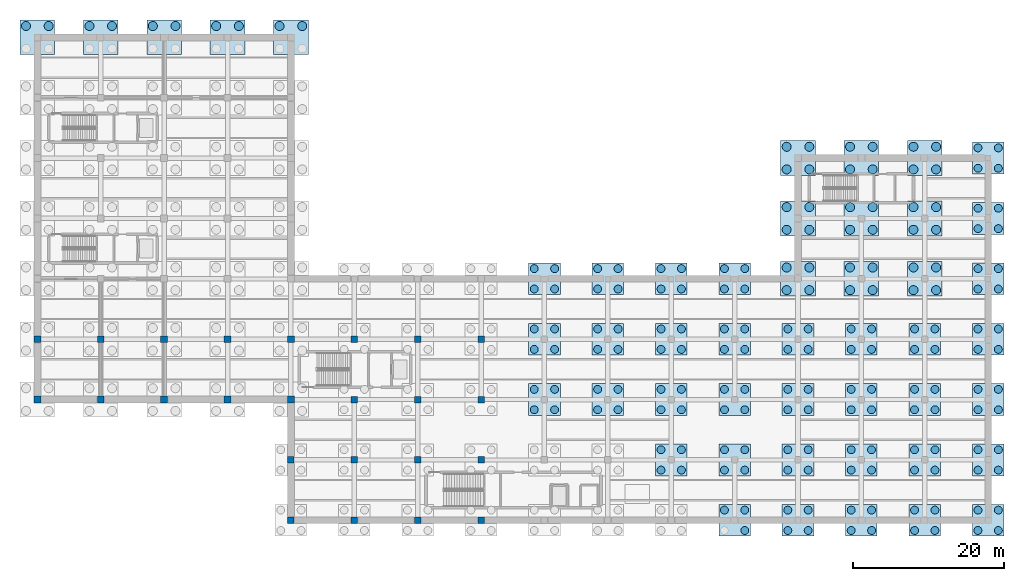
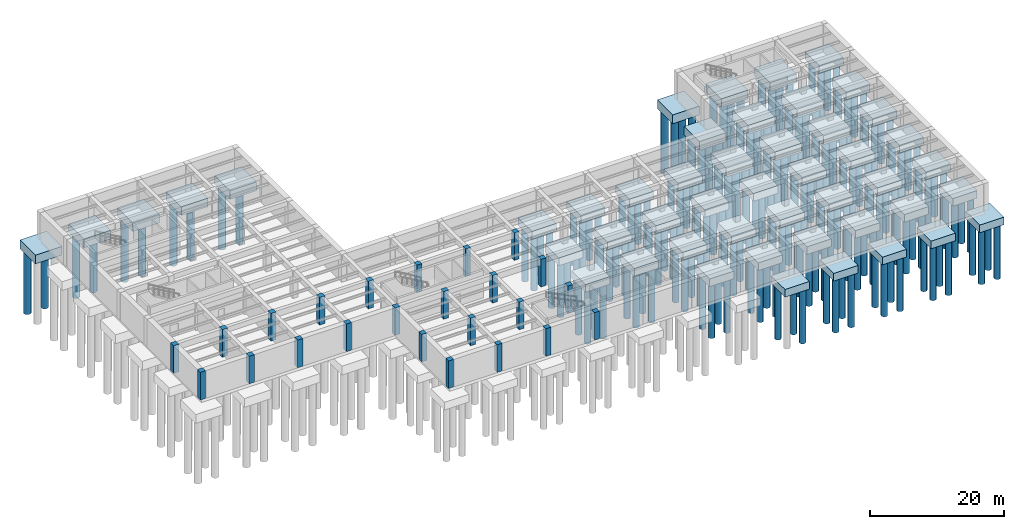
# One storey, part 2 of 12: 181 piles, 48 footings, 24 columns.
"""IFC4 building model written with IfcOpenShell, lengths in metres."""

from ifc_helpers import new_model, si_unit, direction, frame, origin, origin_2d, place, context, subcontext, project, spatial, rectangle, circle, extrude, material, material_profile, profile_set, type_object, element, save


model = new_model("IFC4")

# Units and contexts
model_context = context("Model", 3, precision=1e-05, world=origin(), true_north=direction((0.0, 1.0)))
body_context = subcontext(model_context, "Body", "Model", "MODEL_VIEW")
ifc_project = project(units=[si_unit("LENGTHUNIT", "METRE"), si_unit("AREAUNIT", "SQUARE_METRE"), si_unit("VOLUMEUNIT", "CUBIC_METRE"), si_unit("PLANEANGLEUNIT", "RADIAN"), si_unit("MASSUNIT", "GRAM", prefix="KILO")], contexts=[model_context])

# Site, building, storey
site_placement = place(None, origin())
site = spatial("IfcSite", under=ifc_project, at=site_placement, CompositionType="ELEMENT")
building_placement = place(site_placement, origin())
building = spatial("IfcBuilding", under=site, at=building_placement, Name="Kranzveld Transit Interchange", CompositionType="ELEMENT")
storey_placement = place(building_placement, frame((0.0, 0.0, -10.8798828125)))
storey = spatial("IfcBuildingStorey", under=building, at=storey_placement, Name="B2", CompositionType="ELEMENT", Elevation=-10.8798828125)

# Piles
ifc_material_1 = material(Name="Concrete C40/50", Category="concrete")
ifc_material_profile_1 = material_profile(ifc_material_1, circle(Radius=0.52490234375, at=origin_2d()), Name="BORED PILE 1050")
ifc_profile_set_1 = profile_set([ifc_material_profile_1], Name="Concrete C40/50")
pile_type_1 = type_object("IfcPileType", Name="Pile Bored 1050 C40/50", PredefinedType="BORED", material=ifc_profile_set_1)
for number, where, z_axis, x_axis, name in (
    (1, (65.85009765625, 46.64990234375, -2.2001953125), (0.0, 0.0, -1.0), (1.0, 0.0, 0.0), "Bored Pile 09/G-P1"),
    (2, (68.550048828125, 46.64990234375, -2.2001953125), (0.0, 0.0, -1.0), (1.0, 0.0, 0.0), "Bored Pile 09/G-P2"),
    (3, (65.85009765625, 49.35009765625, -2.2001953125), (0.0, 0.0, -1.0), (1.0, 0.0, 0.0), "Bored Pile 09/G-P3"),
    (4, (68.550048828125, 49.35009765625, -2.2001953125), (0.0, 0.0, -1.0), (1.0, 0.0, 0.0), "Bored Pile 09/G-P4"),
    (5, (65.85009765625, 54.64990234375, -2.2001953125), (0.0, 0.0, -1.0), (1.0, 0.0, 0.0), "Bored Pile 09/H-P1"),
    (6, (68.550048828125, 54.64990234375, -2.2001953125), (0.0, 0.0, -1.0), (1.0, 0.0, 0.0), "Bored Pile 09/H-P2"),
    (7, (65.85009765625, 57.35009765625, -2.2001953125), (0.0, 0.0, -1.0), (1.0, 0.0, 0.0), "Bored Pile 09/H-P3"),
    (8, (68.550048828125, 57.35009765625, -2.2001953125), (0.0, 0.0, -1.0), (1.0, 0.0, 0.0), "Bored Pile 09/H-P4"),
    (9, (65.85009765625, 62.64990234375, -2.2001953125), (0.0, 0.0, -1.0), (1.0, 0.0, 0.0), "Bored Pile 09/J-P1"),
    (10, (68.550048828125, 62.64990234375, -2.2001953125), (0.0, 0.0, -1.0), (1.0, 0.0, 0.0), "Bored Pile 09/J-P2"),
    (11, (65.85009765625, 65.35009765625, -2.2001953125), (0.0, 0.0, -1.0), (1.0, 0.0, 0.0), "Bored Pile 09/J-P3"),
    (12, (68.550048828125, 65.35009765625, -2.2001953125), (0.0, 0.0, -1.0), (1.0, 0.0, 0.0), "Bored Pile 09/J-P4"),
    (13, (74.25, 46.64990234375, -2.2001953125), (0.0, 0.0, -1.0), (1.0, 0.0, 0.0), "Bored Pile 10/G-P1"),
    (14, (76.949951171875, 46.64990234375, -2.2001953125), (0.0, 0.0, -1.0), (1.0, 0.0, 0.0), "Bored Pile 10/G-P2"),
    (15, (74.25, 49.35009765625, -2.2001953125), (0.0, 0.0, -1.0), (1.0, 0.0, 0.0), "Bored Pile 10/G-P3"),
    (16, (76.949951171875, 49.35009765625, -2.2001953125), (0.0, 0.0, -1.0), (1.0, 0.0, 0.0), "Bored Pile 10/G-P4"),
    (17, (74.25, 54.64990234375, -2.2001953125), (0.0, 0.0, -1.0), (1.0, 0.0, 0.0), "Bored Pile 10/H-P1"),
    (18, (76.949951171875, 54.64990234375, -2.2001953125), (0.0, 0.0, -1.0), (1.0, 0.0, 0.0), "Bored Pile 10/H-P2"),
    (19, (74.25, 57.35009765625, -2.2001953125), (0.0, 0.0, -1.0), (1.0, 0.0, 0.0), "Bored Pile 10/H-P3"),
    (20, (76.949951171875, 57.35009765625, -2.2001953125), (0.0, 0.0, -1.0), (1.0, 0.0, 0.0), "Bored Pile 10/H-P4"),
    (21, (74.25, 62.64990234375, -2.2001953125), (0.0, 0.0, -1.0), (1.0, 0.0, 0.0), "Bored Pile 10/J-P1"),
    (22, (76.949951171875, 62.64990234375, -2.2001953125), (0.0, 0.0, -1.0), (1.0, 0.0, 0.0), "Bored Pile 10/J-P2"),
    (23, (74.25, 65.35009765625, -2.2001953125), (0.0, 0.0, -1.0), (1.0, 0.0, 0.0), "Bored Pile 10/J-P3"),
    (24, (76.949951171875, 65.35009765625, -2.2001953125), (0.0, 0.0, -1.0), (1.0, 0.0, 0.0), "Bored Pile 10/J-P4"),
    (25, (82.64990234375, 38.64990234375, -2.2001953125), (0.0, 0.0, -1.0), (1.0, 0.0, 0.0), "Bored Pile 11/F-P1"),
    (26, (85.35009765625, 38.64990234375, -2.2001953125), (0.0, 0.0, -1.0), (1.0, 0.0, 0.0), "Bored Pile 11/F-P2"),
    (27, (82.64990234375, 41.35009765625, -2.2001953125), (0.0, 0.0, -1.0), (1.0, 0.0, 0.0), "Bored Pile 11/F-P3"),
    (28, (85.35009765625, 41.35009765625, -2.2001953125), (0.0, 0.0, -1.0), (1.0, 0.0, 0.0), "Bored Pile 11/F-P4"),
    (29, (82.64990234375, 46.64990234375, -2.2001953125), (0.0, 0.0, -1.0), (1.0, 0.0, 0.0), "Bored Pile 11/G-P1"),
    (30, (85.35009765625, 46.64990234375, -2.2001953125), (0.0, 0.0, -1.0), (1.0, 0.0, 0.0), "Bored Pile 11/G-P2"),
    (31, (82.64990234375, 49.35009765625, -2.2001953125), (0.0, 0.0, -1.0), (1.0, 0.0, 0.0), "Bored Pile 11/G-P3"),
    (32, (85.35009765625, 49.35009765625, -2.2001953125), (0.0, 0.0, -1.0), (1.0, 0.0, 0.0), "Bored Pile 11/G-P4"),
    (33, (82.64990234375, 54.64990234375, -2.2001953125), (0.0, 0.0, -1.0), (1.0, 0.0, 0.0), "Bored Pile 11/H-P1"),
    (34, (85.35009765625, 54.64990234375, -2.2001953125), (0.0, 0.0, -1.0), (1.0, 0.0, 0.0), "Bored Pile 11/H-P2"),
    (35, (82.64990234375, 57.35009765625, -2.2001953125), (0.0, 0.0, -1.0), (1.0, 0.0, 0.0), "Bored Pile 11/H-P3"),
    (36, (85.35009765625, 57.35009765625, -2.2001953125), (0.0, 0.0, -1.0), (1.0, 0.0, 0.0), "Bored Pile 11/H-P4"),
    (37, (82.64990234375, 62.64990234375, -2.2001953125), (0.0, 0.0, -1.0), (1.0, 0.0, 0.0), "Bored Pile 11/J-P1"),
    (38, (85.35009765625, 62.64990234375, -2.2001953125), (0.0, 0.0, -1.0), (1.0, 0.0, 0.0), "Bored Pile 11/J-P2"),
    (39, (82.64990234375, 65.35009765625, -2.2001953125), (0.0, 0.0, -1.0), (1.0, 0.0, 0.0), "Bored Pile 11/J-P3"),
    (40, (85.35009765625, 65.35009765625, -2.2001953125), (0.0, 0.0, -1.0), (1.0, 0.0, 0.0), "Bored Pile 11/J-P4"),
    (41, (93.75, 30.64990234375, -2.2001953125), (0.0, 0.0, -1.0), (1.0, 0.0, 0.0), "Bored Pile 12/E-P2"),
    (42, (91.050048828125, 33.35009765625, -2.2001953125), (0.0, 0.0, -1.0), (1.0, 0.0, 0.0), "Bored Pile 12/E-P3"),
    (43, (93.75, 33.35009765625, -2.2001953125), (0.0, 0.0, -1.0), (1.0, 0.0, 0.0), "Bored Pile 12/E-P4"),
    (44, (91.050048828125, 38.64990234375, -2.2001953125), (0.0, 0.0, -1.0), (1.0, 0.0, 0.0), "Bored Pile 12/F-P1"),
    (45, (93.75, 38.64990234375, -2.2001953125), (0.0, 0.0, -1.0), (1.0, 0.0, 0.0), "Bored Pile 12/F-P2"),
    (46, (91.050048828125, 41.35009765625, -2.2001953125), (0.0, 0.0, -1.0), (1.0, 0.0, 0.0), "Bored Pile 12/F-P3"),
    (47, (93.75, 41.35009765625, -2.2001953125), (0.0, 0.0, -1.0), (1.0, 0.0, 0.0), "Bored Pile 12/F-P4"),
    (48, (91.050048828125, 46.64990234375, -2.2001953125), (0.0, 0.0, -1.0), (1.0, 0.0, 0.0), "Bored Pile 12/G-P1"),
    (49, (93.75, 46.64990234375, -2.2001953125), (0.0, 0.0, -1.0), (1.0, 0.0, 0.0), "Bored Pile 12/G-P2"),
    (50, (91.050048828125, 49.35009765625, -2.2001953125), (0.0, 0.0, -1.0), (1.0, 0.0, 0.0), "Bored Pile 12/G-P3"),
    (51, (93.75, 49.35009765625, -2.2001953125), (0.0, 0.0, -1.0), (1.0, 0.0, 0.0), "Bored Pile 12/G-P4"),
    (52, (91.050048828125, 54.64990234375, -2.2001953125), (0.0, 0.0, -1.0), (1.0, 0.0, 0.0), "Bored Pile 12/H-P1"),
    (53, (93.75, 54.64990234375, -2.2001953125), (0.0, 0.0, -1.0), (1.0, 0.0, 0.0), "Bored Pile 12/H-P2"),
    (54, (91.050048828125, 57.35009765625, -2.2001953125), (0.0, 0.0, -1.0), (1.0, 0.0, 0.0), "Bored Pile 12/H-P3"),
    (55, (93.75, 57.35009765625, -2.2001953125), (0.0, 0.0, -1.0), (1.0, 0.0, 0.0), "Bored Pile 12/H-P4"),
    (56, (91.050048828125, 62.64990234375, -2.2001953125), (0.0, 0.0, -1.0), (1.0, 0.0, 0.0), "Bored Pile 12/J-P1"),
    (57, (93.75, 62.64990234375, -2.2001953125), (0.0, 0.0, -1.0), (1.0, 0.0, 0.0), "Bored Pile 12/J-P2"),
    (58, (91.050048828125, 65.35009765625, -2.2001953125), (0.0, 0.0, -1.0), (1.0, 0.0, 0.0), "Bored Pile 12/J-P3"),
    (59, (93.75, 65.35009765625, -2.2001953125), (0.0, 0.0, -1.0), (1.0, 0.0, 0.0), "Bored Pile 12/J-P4"),
    (60, (99.449951171875, 30.64990234375, -2.2001953125), (0.0, 0.0, -1.0), (1.0, 0.0, 0.0), "Bored Pile 13/E-P1"),
    (61, (102.14990234375, 30.64990234375, -2.2001953125), (0.0, 0.0, -1.0), (1.0, 0.0, 0.0), "Bored Pile 13/E-P2"),
    (62, (99.449951171875, 33.35009765625, -2.2001953125), (0.0, 0.0, -1.0), (1.0, 0.0, 0.0), "Bored Pile 13/E-P3"),
    (63, (102.14990234375, 33.35009765625, -2.2001953125), (0.0, 0.0, -1.0), (1.0, 0.0, 0.0), "Bored Pile 13/E-P4"),
    (64, (99.449951171875, 38.64990234375, -2.2001953125), (0.0, 0.0, -1.0), (1.0, 0.0, 0.0), "Bored Pile 13/F-P1"),
    (65, (102.14990234375, 38.64990234375, -2.2001953125), (0.0, 0.0, -1.0), (1.0, 0.0, 0.0), "Bored Pile 13/F-P2"),
    (66, (99.449951171875, 41.35009765625, -2.2001953125), (0.0, 0.0, -1.0), (1.0, 0.0, 0.0), "Bored Pile 13/F-P3"),
    (67, (102.14990234375, 41.35009765625, -2.2001953125), (0.0, 0.0, -1.0), (1.0, 0.0, 0.0), "Bored Pile 13/F-P4"),
    (68, (99.449951171875, 46.64990234375, -2.2001953125), (0.0, 0.0, -1.0), (1.0, 0.0, 0.0), "Bored Pile 13/G-P1"),
    (69, (102.14990234375, 46.64990234375, -2.2001953125), (0.0, 0.0, -1.0), (1.0, 0.0, 0.0), "Bored Pile 13/G-P2"),
    (70, (99.449951171875, 49.35009765625, -2.2001953125), (0.0, 0.0, -1.0), (1.0, 0.0, 0.0), "Bored Pile 13/G-P3"),
    (71, (102.14990234375, 49.35009765625, -2.2001953125), (0.0, 0.0, -1.0), (1.0, 0.0, 0.0), "Bored Pile 13/G-P4"),
    (72, (99.449951171875, 54.64990234375, -2.2001953125), (0.0, 0.0, -1.0), (1.0, 0.0, 0.0), "Bored Pile 13/H-P1"),
    (73, (102.14990234375, 54.64990234375, -2.2001953125), (0.0, 0.0, -1.0), (1.0, 0.0, 0.0), "Bored Pile 13/H-P2"),
    (74, (99.449951171875, 57.35009765625, -2.2001953125), (0.0, 0.0, -1.0), (1.0, 0.0, 0.0), "Bored Pile 13/H-P3"),
    (75, (102.14990234375, 57.35009765625, -2.2001953125), (0.0, 0.0, -1.0), (1.0, 0.0, 0.0), "Bored Pile 13/H-P4"),
    (76, (107.85009765625, 30.64990234375, -2.2001953125), (0.0, 0.0, -1.0), (1.0, 0.0, 0.0), "Bored Pile 14/E-P1"),
    (77, (110.550048828125, 30.64990234375, -2.2001953125), (0.0, 0.0, -1.0), (1.0, 0.0, 0.0), "Bored Pile 14/E-P2"),
    (78, (107.85009765625, 33.35009765625, -2.2001953125), (0.0, 0.0, -1.0), (1.0, 0.0, 0.0), "Bored Pile 14/E-P3"),
    (79, (110.550048828125, 33.35009765625, -2.2001953125), (0.0, 0.0, -1.0), (1.0, 0.0, 0.0), "Bored Pile 14/E-P4"),
    (80, (107.85009765625, 38.64990234375, -2.2001953125), (0.0, 0.0, -1.0), (1.0, 0.0, 0.0), "Bored Pile 14/F-P1"),
    (81, (110.550048828125, 38.64990234375, -2.2001953125), (0.0, 0.0, -1.0), (1.0, 0.0, 0.0), "Bored Pile 14/F-P2"),
    (82, (107.85009765625, 41.35009765625, -2.2001953125), (0.0, 0.0, -1.0), (1.0, 0.0, 0.0), "Bored Pile 14/F-P3"),
    (83, (110.550048828125, 41.35009765625, -2.2001953125), (0.0, 0.0, -1.0), (1.0, 0.0, 0.0), "Bored Pile 14/F-P4"),
    (84, (107.85009765625, 46.64990234375, -2.2001953125), (0.0, 0.0, -1.0), (1.0, 0.0, 0.0), "Bored Pile 14/G-P1"),
    (85, (110.550048828125, 46.64990234375, -2.2001953125), (0.0, 0.0, -1.0), (1.0, 0.0, 0.0), "Bored Pile 14/G-P2"),
    (86, (107.85009765625, 49.35009765625, -2.2001953125), (0.0, 0.0, -1.0), (1.0, 0.0, 0.0), "Bored Pile 14/G-P3"),
    (87, (110.550048828125, 49.35009765625, -2.2001953125), (0.0, 0.0, -1.0), (1.0, 0.0, 0.0), "Bored Pile 14/G-P4"),
    (88, (107.85009765625, 54.64990234375, -2.2001953125), (0.0, 0.0, -1.0), (1.0, 0.0, 0.0), "Bored Pile 14/H-P1"),
    (89, (110.550048828125, 54.64990234375, -2.2001953125), (0.0, 0.0, -1.0), (1.0, 0.0, 0.0), "Bored Pile 14/H-P2"),
    (90, (107.85009765625, 57.35009765625, -2.2001953125), (0.0, 0.0, -1.0), (1.0, 0.0, 0.0), "Bored Pile 14/H-P3"),
    (91, (110.550048828125, 57.35009765625, -2.2001953125), (0.0, 0.0, -1.0), (1.0, 0.0, 0.0), "Bored Pile 14/H-P4"),
    (92, (116.25, 30.64990234375, -2.2001953125), (0.0, 0.0, -1.0), (1.0, 0.0, 0.0), "Bored Pile 15/E-P1"),
    (93, (118.949951171875, 30.64990234375, -2.2001953125), (0.0, 0.0, -1.0), (1.0, 0.0, 0.0), "Bored Pile 15/E-P2"),
    (94, (116.25, 33.35009765625, -2.2001953125), (0.0, 0.0, -1.0), (1.0, 0.0, 0.0), "Bored Pile 15/E-P3"),
    (95, (118.949951171875, 33.35009765625, -2.2001953125), (0.0, 0.0, -1.0), (1.0, 0.0, 0.0), "Bored Pile 15/E-P4"),
    (96, (116.25, 38.64990234375, -2.2001953125), (0.0, 0.0, -1.0), (1.0, 0.0, 0.0), "Bored Pile 15/F-P1"),
    (97, (118.949951171875, 38.64990234375, -2.2001953125), (0.0, 0.0, -1.0), (1.0, 0.0, 0.0), "Bored Pile 15/F-P2"),
    (98, (116.25, 41.35009765625, -2.2001953125), (0.0, 0.0, -1.0), (1.0, 0.0, 0.0), "Bored Pile 15/F-P3"),
    (99, (118.949951171875, 41.35009765625, -2.2001953125), (0.0, 0.0, -1.0), (1.0, 0.0, 0.0), "Bored Pile 15/F-P4"),
    (100, (116.25, 46.64990234375, -2.2001953125), (0.0, 0.0, -1.0), (1.0, 0.0, 0.0), "Bored Pile 15/G-P1"),
    (101, (118.949951171875, 46.64990234375, -2.2001953125), (0.0, 0.0, -1.0), (1.0, 0.0, 0.0), "Bored Pile 15/G-P2"),
    (102, (116.25, 49.35009765625, -2.2001953125), (0.0, 0.0, -1.0), (1.0, 0.0, 0.0), "Bored Pile 15/G-P3"),
    (103, (118.949951171875, 49.35009765625, -2.2001953125), (0.0, 0.0, -1.0), (1.0, 0.0, 0.0), "Bored Pile 15/G-P4"),
    (104, (116.25, 54.64990234375, -2.2001953125), (0.0, 0.0, -1.0), (1.0, 0.0, 0.0), "Bored Pile 15/H-P1"),
    (105, (118.949951171875, 54.64990234375, -2.2001953125), (0.0, 0.0, -1.0), (1.0, 0.0, 0.0), "Bored Pile 15/H-P2"),
    (106, (116.25, 57.35009765625, -2.2001953125), (0.0, 0.0, -1.0), (1.0, 0.0, 0.0), "Bored Pile 15/H-P3"),
    (107, (118.949951171875, 57.35009765625, -2.2001953125), (0.0, 0.0, -1.0), (1.0, 0.0, 0.0), "Bored Pile 15/H-P4"),
    (108, (124.64990234375, 30.64990234375, -2.2001953125), (0.0, 0.0, -1.0), (1.0, 0.0, 0.0), "Bored Pile 16/E-P1"),
    (109, (127.35009765625, 30.64990234375, -2.2001953125), (0.0, 0.0, -1.0), (1.0, 0.0, 0.0), "Bored Pile 16/E-P2"),
    (110, (124.64990234375, 33.35009765625, -2.2001953125), (0.0, 0.0, -1.0), (1.0, 0.0, 0.0), "Bored Pile 16/E-P3"),
    (111, (127.35009765625, 33.35009765625, -2.2001953125), (0.0, 0.0, -1.0), (1.0, 0.0, 0.0), "Bored Pile 16/E-P4"),
    (112, (124.64990234375, 38.64990234375, -2.2001953125), (0.0, 0.0, -1.0), (1.0, 0.0, 0.0), "Bored Pile 16/F-P1"),
    (113, (127.35009765625, 38.64990234375, -2.2001953125), (0.0, 0.0, -1.0), (1.0, 0.0, 0.0), "Bored Pile 16/F-P2"),
    (114, (124.64990234375, 41.35009765625, -2.2001953125), (0.0, 0.0, -1.0), (1.0, 0.0, 0.0), "Bored Pile 16/F-P3"),
    (115, (127.35009765625, 41.35009765625, -2.2001953125), (0.0, 0.0, -1.0), (1.0, 0.0, 0.0), "Bored Pile 16/F-P4"),
    (116, (124.64990234375, 46.64990234375, -2.2001953125), (0.0, 0.0, -1.0), (1.0, 0.0, 0.0), "Bored Pile 16/G-P1"),
    (117, (127.35009765625, 46.64990234375, -2.2001953125), (0.0, 0.0, -1.0), (1.0, 0.0, 0.0), "Bored Pile 16/G-P2"),
    (118, (124.64990234375, 49.35009765625, -2.2001953125), (0.0, 0.0, -1.0), (1.0, 0.0, 0.0), "Bored Pile 16/G-P3"),
    (119, (127.35009765625, 49.35009765625, -2.2001953125), (0.0, 0.0, -1.0), (1.0, 0.0, 0.0), "Bored Pile 16/G-P4"),
    (120, (124.64990234375, 54.64990234375, -2.2001953125), (0.0, 0.0, -1.0), (1.0, 0.0, 0.0), "Bored Pile 16/H-P1"),
    (121, (127.35009765625, 54.64990234375, -2.2001953125), (0.0, 0.0, -1.0), (1.0, 0.0, 0.0), "Bored Pile 16/H-P2"),
    (122, (124.64990234375, 57.35009765625, -2.2001953125), (0.0, 0.0, -1.0), (1.0, 0.0, 0.0), "Bored Pile 16/H-P3"),
    (123, (127.35009765625, 57.35009765625, -2.2001953125), (0.0, 0.0, -1.0), (1.0, 0.0, 0.0), "Bored Pile 16/H-P4"),
    (124, (124.64990234375, 62.64990234375, -2.2001953125), (0.0, 0.0, -1.0), (1.0, 0.0, 0.0), "Bored Pile 16/J-P1"),
    (125, (127.35009765625, 62.64990234375, -2.2001953125), (0.0, 0.0, -1.0), (1.0, 0.0, 0.0), "Bored Pile 16/J-P2"),
    (126, (124.64990234375, 65.35009765625, -2.2001953125), (0.0, 0.0, -1.0), (1.0, 0.0, 0.0), "Bored Pile 16/J-P3"),
    (127, (127.35009765625, 65.35009765625, -2.2001953125), (0.0, 0.0, -1.0), (1.0, 0.0, 0.0), "Bored Pile 16/J-P4"),
    (128, (124.64990234375, 70.64990234375, -2.2001953125), (0.0, 0.0, -1.0), (1.0, 0.0, 0.0), "Bored Pile 16/K-P1"),
    (129, (127.35009765625, 70.64990234375, -2.2001953125), (0.0, 0.0, -1.0), (1.0, 0.0, 0.0), "Bored Pile 16/K-P2"),
    (130, (124.64990234375, 73.35009765625, -2.2001953125), (0.0, 0.0, -1.0), (1.0, 0.0, 0.0), "Bored Pile 16/K-P3"),
    (131, (127.35009765625, 73.35009765625, -2.2001953125), (0.0, 0.0, -1.0), (1.0, 0.0, 0.0), "Bored Pile 16/K-P4"),
    (132, (124.64990234375, 78.64990234375, -2.2001953125), (0.0, 0.0, -1.0), (1.0, 0.0, 0.0), "Bored Pile 16/L-P1"),
    (133, (127.35009765625, 78.64990234375, -2.2001953125), (0.0, 0.0, -1.0), (1.0, 0.0, 0.0), "Bored Pile 16/L-P2"),
    (134, (124.64990234375, 81.35009765625, -2.2001953125), (0.0, 0.0, -1.0), (1.0, 0.0, 0.0), "Bored Pile 16/L-P3"),
    (135, (127.35009765625, 81.35009765625, -2.2001953125), (0.0, 0.0, -1.0), (1.0, 0.0, 0.0), "Bored Pile 16/L-P4"),
):
    element("IfcPile", number, at=place(storey_placement, frame(where, z_axis=z_axis, x_axis=x_axis)), inside=storey, type_object=pile_type_1, Name=name, PredefinedType="BORED", context=body_context, shape_type="SweptSolid", body=[
        extrude(circle(Radius=0.52490234375, at=origin_2d()), origin(), (0.0, 0.0, 1.0), 9.919921875),
    ])
ifc_material_2 = material(Name="Concrete C40/50", Category="concrete")
ifc_material_profile_2 = material_profile(ifc_material_2, circle(Radius=0.60009765625, at=origin_2d()), Name="BORED PILE 1200")
ifc_profile_set_2 = profile_set([ifc_material_profile_2], Name="Concrete C40/50")
pile_type_2 = type_object("IfcPileType", Name="Pile Bored 1200 C40/50", PredefinedType="BORED", material=ifc_profile_set_2)
for number, where, z_axis, x_axis, name in (
    (136, (-1.5, 97.5, -2.400146484375), (0.0, 0.0, -1.0), (1.0, 0.0, 0.0), "Bored Pile 01/N-P3"),
    (137, (1.5, 97.5, -2.400146484375), (0.0, 0.0, -1.0), (1.0, 0.0, 0.0), "Bored Pile 01/N-P4"),
    (138, (6.89990234375, 97.5, -2.400146484375), (0.0, 0.0, -1.0), (1.0, 0.0, 0.0), "Bored Pile 02/N-P3"),
    (139, (9.89990234375, 97.5, -2.400146484375), (0.0, 0.0, -1.0), (1.0, 0.0, 0.0), "Bored Pile 02/N-P4"),
    (140, (15.300048828125, 97.5, -2.400146484375), (0.0, 0.0, -1.0), (1.0, 0.0, 0.0), "Bored Pile 03/N-P3"),
    (141, (18.300048828125, 97.5, -2.400146484375), (0.0, 0.0, -1.0), (1.0, 0.0, 0.0), "Bored Pile 03/N-P4"),
    (142, (23.699951171875, 97.5, -2.400146484375), (0.0, 0.0, -1.0), (1.0, 0.0, 0.0), "Bored Pile 04/N-P3"),
    (143, (26.699951171875, 97.5, -2.400146484375), (0.0, 0.0, -1.0), (1.0, 0.0, 0.0), "Bored Pile 04/N-P4"),
    (144, (32.10009765625, 97.5, -2.400146484375), (0.0, 0.0, -1.0), (1.0, 0.0, 0.0), "Bored Pile 05/N-P3"),
    (145, (35.10009765625, 97.5, -2.400146484375), (0.0, 0.0, -1.0), (1.0, 0.0, 0.0), "Bored Pile 05/N-P4"),
    (146, (99.300048828125, 62.5, -2.400146484375), (0.0, 0.0, -1.0), (1.0, 0.0, 0.0), "Bored Pile 13/J-P1"),
    (147, (102.300048828125, 62.5, -2.400146484375), (0.0, 0.0, -1.0), (1.0, 0.0, 0.0), "Bored Pile 13/J-P2"),
    (148, (99.300048828125, 65.5, -2.400146484375), (0.0, 0.0, -1.0), (1.0, 0.0, 0.0), "Bored Pile 13/J-P3"),
    (149, (102.300048828125, 65.5, -2.400146484375), (0.0, 0.0, -1.0), (1.0, 0.0, 0.0), "Bored Pile 13/J-P4"),
    (150, (99.300048828125, 70.5, -2.400146484375), (0.0, 0.0, -1.0), (1.0, 0.0, 0.0), "Bored Pile 13/K-P1"),
    (151, (102.300048828125, 70.5, -2.400146484375), (0.0, 0.0, -1.0), (1.0, 0.0, 0.0), "Bored Pile 13/K-P2"),
    (152, (99.300048828125, 73.5, -2.400146484375), (0.0, 0.0, -1.0), (1.0, 0.0, 0.0), "Bored Pile 13/K-P3"),
    (153, (102.300048828125, 73.5, -2.400146484375), (0.0, 0.0, -1.0), (1.0, 0.0, 0.0), "Bored Pile 13/K-P4"),
    (154, (99.300048828125, 78.5, -2.400146484375), (0.0, 0.0, -1.0), (1.0, 0.0, 0.0), "Bored Pile 13/L-P1"),
    (155, (102.300048828125, 78.5, -2.400146484375), (0.0, 0.0, -1.0), (1.0, 0.0, 0.0), "Bored Pile 13/L-P2"),
    (156, (99.300048828125, 81.5, -2.400146484375), (0.0, 0.0, -1.0), (1.0, 0.0, 0.0), "Bored Pile 13/L-P3"),
    (157, (102.300048828125, 81.5, -2.400146484375), (0.0, 0.0, -1.0), (1.0, 0.0, 0.0), "Bored Pile 13/L-P4"),
    (158, (107.699951171875, 62.5, -2.400146484375), (0.0, 0.0, -1.0), (1.0, 0.0, 0.0), "Bored Pile 14/J-P1"),
    (159, (110.699951171875, 62.5, -2.400146484375), (0.0, 0.0, -1.0), (1.0, 0.0, 0.0), "Bored Pile 14/J-P2"),
    (160, (107.699951171875, 65.5, -2.400146484375), (0.0, 0.0, -1.0), (1.0, 0.0, 0.0), "Bored Pile 14/J-P3"),
    (161, (110.699951171875, 65.5, -2.400146484375), (0.0, 0.0, -1.0), (1.0, 0.0, 0.0), "Bored Pile 14/J-P4"),
    (162, (107.699951171875, 70.5, -2.400146484375), (0.0, 0.0, -1.0), (1.0, 0.0, 0.0), "Bored Pile 14/K-P1"),
    (163, (110.699951171875, 70.5, -2.400146484375), (0.0, 0.0, -1.0), (1.0, 0.0, 0.0), "Bored Pile 14/K-P2"),
    (164, (107.699951171875, 73.5, -2.400146484375), (0.0, 0.0, -1.0), (1.0, 0.0, 0.0), "Bored Pile 14/K-P3"),
    (165, (110.699951171875, 73.5, -2.400146484375), (0.0, 0.0, -1.0), (1.0, 0.0, 0.0), "Bored Pile 14/K-P4"),
    (166, (107.699951171875, 78.5, -2.400146484375), (0.0, 0.0, -1.0), (1.0, 0.0, 0.0), "Bored Pile 14/L-P1"),
    (167, (110.699951171875, 78.5, -2.400146484375), (0.0, 0.0, -1.0), (1.0, 0.0, 0.0), "Bored Pile 14/L-P2"),
    (168, (107.699951171875, 81.5, -2.400146484375), (0.0, 0.0, -1.0), (1.0, 0.0, 0.0), "Bored Pile 14/L-P3"),
    (169, (110.699951171875, 81.5, -2.400146484375), (0.0, 0.0, -1.0), (1.0, 0.0, 0.0), "Bored Pile 14/L-P4"),
    (170, (116.10009765625, 62.5, -2.400146484375), (0.0, 0.0, -1.0), (1.0, 0.0, 0.0), "Bored Pile 15/J-P1"),
    (171, (119.10009765625, 62.5, -2.400146484375), (0.0, 0.0, -1.0), (1.0, 0.0, 0.0), "Bored Pile 15/J-P2"),
    (172, (116.10009765625, 65.5, -2.400146484375), (0.0, 0.0, -1.0), (1.0, 0.0, 0.0), "Bored Pile 15/J-P3"),
    (173, (119.10009765625, 65.5, -2.400146484375), (0.0, 0.0, -1.0), (1.0, 0.0, 0.0), "Bored Pile 15/J-P4"),
    (174, (116.10009765625, 70.5, -2.400146484375), (0.0, 0.0, -1.0), (1.0, 0.0, 0.0), "Bored Pile 15/K-P1"),
    (175, (119.10009765625, 70.5, -2.400146484375), (0.0, 0.0, -1.0), (1.0, 0.0, 0.0), "Bored Pile 15/K-P2"),
    (176, (116.10009765625, 73.5, -2.400146484375), (0.0, 0.0, -1.0), (1.0, 0.0, 0.0), "Bored Pile 15/K-P3"),
    (177, (119.10009765625, 73.5, -2.400146484375), (0.0, 0.0, -1.0), (1.0, 0.0, 0.0), "Bored Pile 15/K-P4"),
    (178, (116.10009765625, 78.5, -2.400146484375), (0.0, 0.0, -1.0), (1.0, 0.0, 0.0), "Bored Pile 15/L-P1"),
    (179, (119.10009765625, 78.5, -2.400146484375), (0.0, 0.0, -1.0), (1.0, 0.0, 0.0), "Bored Pile 15/L-P2"),
    (180, (116.10009765625, 81.5, -2.400146484375), (0.0, 0.0, -1.0), (1.0, 0.0, 0.0), "Bored Pile 15/L-P3"),
    (181, (119.10009765625, 81.5, -2.400146484375), (0.0, 0.0, -1.0), (1.0, 0.0, 0.0), "Bored Pile 15/L-P4"),
):
    element("IfcPile", number, at=place(storey_placement, frame(where, z_axis=z_axis, x_axis=x_axis)), inside=storey, type_object=pile_type_2, Name=name, PredefinedType="BORED", context=body_context, shape_type="SweptSolid", body=[
        extrude(circle(Radius=0.60009765625, at=origin_2d()), origin(), (0.0, 0.0, 1.0), 11.52001953125),
    ])

# Footings
ifc_material_3 = material(Name="Concrete C40/50", Category="concrete")
footing_type_1 = type_object("IfcFootingType", Name="Pile Cap 4200x4200x1400 C40/50", PredefinedType="PILE_CAP", material=ifc_material_3)
for number, where, z_axis, x_axis, name in (
    (182, (67.199951171875, 48.0, -2.300048828125), (0.0, 0.0, 1.0), (1.0, 0.0, 0.0), "Pile Cap 09/G"),
    (183, (67.199951171875, 56.0, -2.300048828125), (0.0, 0.0, 1.0), (1.0, 0.0, 0.0), "Pile Cap 09/H"),
    (184, (67.199951171875, 64.0, -2.300048828125), (0.0, 0.0, 1.0), (1.0, 0.0, 0.0), "Pile Cap 09/J"),
    (185, (75.60009765625, 48.0, -2.300048828125), (0.0, 0.0, 1.0), (1.0, 0.0, 0.0), "Pile Cap 10/G"),
    (186, (75.60009765625, 56.0, -2.300048828125), (0.0, 0.0, 1.0), (1.0, 0.0, 0.0), "Pile Cap 10/H"),
    (187, (75.60009765625, 64.0, -2.300048828125), (0.0, 0.0, 1.0), (1.0, 0.0, 0.0), "Pile Cap 10/J"),
    (188, (84.0, 40.0, -2.300048828125), (0.0, 0.0, 1.0), (1.0, 0.0, 0.0), "Pile Cap 11/F"),
    (189, (84.0, 48.0, -2.300048828125), (0.0, 0.0, 1.0), (1.0, 0.0, 0.0), "Pile Cap 11/G"),
    (190, (84.0, 56.0, -2.300048828125), (0.0, 0.0, 1.0), (1.0, 0.0, 0.0), "Pile Cap 11/H"),
    (191, (84.0, 64.0, -2.300048828125), (0.0, 0.0, 1.0), (1.0, 0.0, 0.0), "Pile Cap 11/J"),
    (192, (92.39990234375, 32.0, -2.300048828125), (0.0, 0.0, 1.0), (1.0, 0.0, 0.0), "Pile Cap 12/E"),
    (193, (92.39990234375, 40.0, -2.300048828125), (0.0, 0.0, 1.0), (1.0, 0.0, 0.0), "Pile Cap 12/F"),
    (194, (92.39990234375, 48.0, -2.300048828125), (0.0, 0.0, 1.0), (1.0, 0.0, 0.0), "Pile Cap 12/G"),
    (195, (92.39990234375, 56.0, -2.300048828125), (0.0, 0.0, 1.0), (1.0, 0.0, 0.0), "Pile Cap 12/H"),
    (196, (92.39990234375, 64.0, -2.300048828125), (0.0, 0.0, 1.0), (1.0, 0.0, 0.0), "Pile Cap 12/J"),
    (197, (100.800048828125, 32.0, -2.300048828125), (0.0, 0.0, 1.0), (1.0, 0.0, 0.0), "Pile Cap 13/E"),
    (198, (100.800048828125, 40.0, -2.300048828125), (0.0, 0.0, 1.0), (1.0, 0.0, 0.0), "Pile Cap 13/F"),
    (199, (100.800048828125, 48.0, -2.300048828125), (0.0, 0.0, 1.0), (1.0, 0.0, 0.0), "Pile Cap 13/G"),
    (200, (100.800048828125, 56.0, -2.300048828125), (0.0, 0.0, 1.0), (1.0, 0.0, 0.0), "Pile Cap 13/H"),
    (201, (109.199951171875, 32.0, -2.300048828125), (0.0, 0.0, 1.0), (1.0, 0.0, 0.0), "Pile Cap 14/E"),
    (202, (109.199951171875, 40.0, -2.300048828125), (0.0, 0.0, 1.0), (1.0, 0.0, 0.0), "Pile Cap 14/F"),
    (203, (109.199951171875, 48.0, -2.300048828125), (0.0, 0.0, 1.0), (1.0, 0.0, 0.0), "Pile Cap 14/G"),
    (204, (109.199951171875, 56.0, -2.300048828125), (0.0, 0.0, 1.0), (1.0, 0.0, 0.0), "Pile Cap 14/H"),
    (205, (117.60009765625, 32.0, -2.300048828125), (0.0, 0.0, 1.0), (1.0, 0.0, 0.0), "Pile Cap 15/E"),
    (206, (117.60009765625, 40.0, -2.300048828125), (0.0, 0.0, 1.0), (1.0, 0.0, 0.0), "Pile Cap 15/F"),
    (207, (117.60009765625, 48.0, -2.300048828125), (0.0, 0.0, 1.0), (1.0, 0.0, 0.0), "Pile Cap 15/G"),
    (208, (117.60009765625, 56.0, -2.300048828125), (0.0, 0.0, 1.0), (1.0, 0.0, 0.0), "Pile Cap 15/H"),
    (209, (126.0, 32.0, -2.300048828125), (0.0, 0.0, 1.0), (1.0, 0.0, 0.0), "Pile Cap 16/E"),
    (210, (126.0, 40.0, -2.300048828125), (0.0, 0.0, 1.0), (1.0, 0.0, 0.0), "Pile Cap 16/F"),
    (211, (126.0, 48.0, -2.300048828125), (0.0, 0.0, 1.0), (1.0, 0.0, 0.0), "Pile Cap 16/G"),
    (212, (126.0, 56.0, -2.300048828125), (0.0, 0.0, 1.0), (1.0, 0.0, 0.0), "Pile Cap 16/H"),
    (213, (126.0, 64.0, -2.300048828125), (0.0, 0.0, 1.0), (1.0, 0.0, 0.0), "Pile Cap 16/J"),
    (214, (126.0, 72.0, -2.300048828125), (0.0, 0.0, 1.0), (1.0, 0.0, 0.0), "Pile Cap 16/K"),
    (215, (126.0, 80.0, -2.300048828125), (0.0, 0.0, 1.0), (1.0, 0.0, 0.0), "Pile Cap 16/L"),
):
    element("IfcFooting", number, at=place(storey_placement, frame(where, z_axis=z_axis, x_axis=x_axis)), inside=storey, type_object=footing_type_1, Name=name, PredefinedType="PILE_CAP", context=body_context, shape_type="SweptSolid", body=[
        extrude(rectangle(XDim=4.199951171875, YDim=4.199951171875, at=origin_2d()), origin(), (0.0, 0.0, 1.0), 1.39990234375),
    ])
ifc_material_4 = material(Name="Concrete C40/50", Category="concrete")
footing_type_2 = type_object("IfcFootingType", Name="Pile Cap 4600x4600x1600 C40/50", PredefinedType="PILE_CAP", material=ifc_material_4)
for number, where, z_axis, x_axis, name in (
    (216, (0.0, 96.0, -2.500244140625), (0.0, 0.0, 1.0), (1.0, 0.0, 0.0), "Pile Cap 01/N"),
    (217, (8.39990234375, 96.0, -2.500244140625), (0.0, 0.0, 1.0), (1.0, 0.0, 0.0), "Pile Cap 02/N"),
    (218, (16.800048828125, 96.0, -2.500244140625), (0.0, 0.0, 1.0), (1.0, 0.0, 0.0), "Pile Cap 03/N"),
    (219, (25.199951171875, 96.0, -2.500244140625), (0.0, 0.0, 1.0), (1.0, 0.0, 0.0), "Pile Cap 04/N"),
    (220, (33.60009765625, 96.0, -2.500244140625), (0.0, 0.0, 1.0), (1.0, 0.0, 0.0), "Pile Cap 05/N"),
    (221, (100.800048828125, 64.0, -2.500244140625), (0.0, 0.0, 1.0), (1.0, 0.0, 0.0), "Pile Cap 13/J"),
    (222, (100.800048828125, 72.0, -2.500244140625), (0.0, 0.0, 1.0), (1.0, 0.0, 0.0), "Pile Cap 13/K"),
    (223, (100.800048828125, 80.0, -2.500244140625), (0.0, 0.0, 1.0), (1.0, 0.0, 0.0), "Pile Cap 13/L"),
    (224, (109.199951171875, 64.0, -2.500244140625), (0.0, 0.0, 1.0), (1.0, 0.0, 0.0), "Pile Cap 14/J"),
    (225, (109.199951171875, 72.0, -2.500244140625), (0.0, 0.0, 1.0), (1.0, 0.0, 0.0), "Pile Cap 14/K"),
    (226, (109.199951171875, 80.0, -2.500244140625), (0.0, 0.0, 1.0), (1.0, 0.0, 0.0), "Pile Cap 14/L"),
    (227, (117.60009765625, 64.0, -2.500244140625), (0.0, 0.0, 1.0), (1.0, 0.0, 0.0), "Pile Cap 15/J"),
    (228, (117.60009765625, 72.0, -2.500244140625), (0.0, 0.0, 1.0), (1.0, 0.0, 0.0), "Pile Cap 15/K"),
    (229, (117.60009765625, 80.0, -2.500244140625), (0.0, 0.0, 1.0), (1.0, 0.0, 0.0), "Pile Cap 15/L"),
):
    element("IfcFooting", number, at=place(storey_placement, frame(where, z_axis=z_axis, x_axis=x_axis)), inside=storey, type_object=footing_type_2, Name=name, PredefinedType="PILE_CAP", context=body_context, shape_type="SweptSolid", body=[
        extrude(rectangle(XDim=4.60009765625, YDim=4.60009765625, at=origin_2d()), origin(), (0.0, 0.0, 1.0), 1.60009765625),
    ])

# Columns
ifc_material_5 = material(Name="Concrete C40/50", Category="concrete")
ifc_material_profile_3 = material_profile(ifc_material_5, rectangle(XDim=0.85009765625, YDim=0.85009765625, at=origin_2d()), Name="RC 850x850")
ifc_profile_set_3 = profile_set([ifc_material_profile_3], Name="Concrete C40/50")
column_type_1 = type_object("IfcColumnType", Name="Column RC 850x850 C40/50", PredefinedType="COLUMN", material=ifc_profile_set_3)
for number, where, z_axis, x_axis, name in (
    (230, (33.60009765625, 32.0, 0.0), (0.0, 0.0, 1.0), (1.0, 0.0, 0.0), "B2 Column 05/E"),
    (231, (33.60009765625, 40.0, 0.0), (0.0, 0.0, 1.0), (1.0, 0.0, 0.0), "B2 Column 05/F"),
    (232, (42.0, 32.0, 0.0), (0.0, 0.0, 1.0), (1.0, 0.0, 0.0), "B2 Column 06/E"),
    (233, (42.0, 40.0, 0.0), (0.0, 0.0, 1.0), (1.0, 0.0, 0.0), "B2 Column 06/F"),
    (234, (42.0, 48.0, 0.0), (0.0, 0.0, 1.0), (1.0, 0.0, 0.0), "B2 Column 06/G"),
    (235, (42.0, 56.0, 0.0), (0.0, 0.0, 1.0), (1.0, 0.0, 0.0), "B2 Column 06/H"),
    (236, (50.39990234375, 32.0, 0.0), (0.0, 0.0, 1.0), (1.0, 0.0, 0.0), "B2 Column 07/E"),
    (237, (50.39990234375, 40.0, 0.0), (0.0, 0.0, 1.0), (1.0, 0.0, 0.0), "B2 Column 07/F"),
    (238, (50.39990234375, 48.0, 0.0), (0.0, 0.0, 1.0), (1.0, 0.0, 0.0), "B2 Column 07/G"),
    (239, (50.39990234375, 56.0, 0.0), (0.0, 0.0, 1.0), (1.0, 0.0, 0.0), "B2 Column 07/H"),
    (240, (58.800048828125, 32.0, 0.0), (0.0, 0.0, 1.0), (1.0, 0.0, 0.0), "B2 Column 08/E"),
    (241, (58.800048828125, 40.0, 0.0), (0.0, 0.0, 1.0), (1.0, 0.0, 0.0), "B2 Column 08/F"),
    (242, (58.800048828125, 48.0, 0.0), (0.0, 0.0, 1.0), (1.0, 0.0, 0.0), "B2 Column 08/G"),
    (243, (58.800048828125, 56.0, 0.0), (0.0, 0.0, 1.0), (1.0, 0.0, 0.0), "B2 Column 08/H"),
):
    element("IfcColumn", number, at=place(storey_placement, frame(where, z_axis=z_axis, x_axis=x_axis)), inside=storey, type_object=column_type_1, Name=name, PredefinedType="COLUMN", context=body_context, shape_type="SweptSolid", body=[
        extrude(rectangle(XDim=0.85009765625, YDim=0.85009765625, at=origin_2d()), origin(), (0.0, 0.0, 1.0), 5.039794921875),
    ])
ifc_material_6 = material(Name="Concrete C40/50", Category="concrete")
ifc_material_profile_4 = material_profile(ifc_material_6, rectangle(XDim=0.89990234375, YDim=0.89990234375, at=origin_2d()), Name="RC 900x900")
ifc_profile_set_4 = profile_set([ifc_material_profile_4], Name="Concrete C40/50")
column_type_2 = type_object("IfcColumnType", Name="Column RC 900x900 C40/50", PredefinedType="COLUMN", material=ifc_profile_set_4)
for number, where, z_axis, x_axis, name in (
    (244, (0.0, 48.0, 0.0), (0.0, 0.0, 1.0), (1.0, 0.0, 0.0), "B2 Column 01/G"),
    (245, (0.0, 56.0, 0.0), (0.0, 0.0, 1.0), (1.0, 0.0, 0.0), "B2 Column 01/H"),
    (246, (8.39990234375, 48.0, 0.0), (0.0, 0.0, 1.0), (1.0, 0.0, 0.0), "B2 Column 02/G"),
    (247, (8.39990234375, 56.0, 0.0), (0.0, 0.0, 1.0), (1.0, 0.0, 0.0), "B2 Column 02/H"),
    (248, (16.800048828125, 48.0, 0.0), (0.0, 0.0, 1.0), (1.0, 0.0, 0.0), "B2 Column 03/G"),
    (249, (16.800048828125, 56.0, 0.0), (0.0, 0.0, 1.0), (1.0, 0.0, 0.0), "B2 Column 03/H"),
    (250, (25.199951171875, 48.0, 0.0), (0.0, 0.0, 1.0), (1.0, 0.0, 0.0), "B2 Column 04/G"),
    (251, (25.199951171875, 56.0, 0.0), (0.0, 0.0, 1.0), (1.0, 0.0, 0.0), "B2 Column 04/H"),
    (252, (33.60009765625, 48.0, 0.0), (0.0, 0.0, 1.0), (1.0, 0.0, 0.0), "B2 Column 05/G"),
    (253, (33.60009765625, 56.0, 0.0), (0.0, 0.0, 1.0), (1.0, 0.0, 0.0), "B2 Column 05/H"),
):
    element("IfcColumn", number, at=place(storey_placement, frame(where, z_axis=z_axis, x_axis=x_axis)), inside=storey, type_object=column_type_2, Name=name, PredefinedType="COLUMN", context=body_context, shape_type="SweptSolid", body=[
        extrude(rectangle(XDim=0.89990234375, YDim=0.89990234375, at=origin_2d()), origin(), (0.0, 0.0, 1.0), 5.039794921875),
    ])

save(model, "model.ifc")
